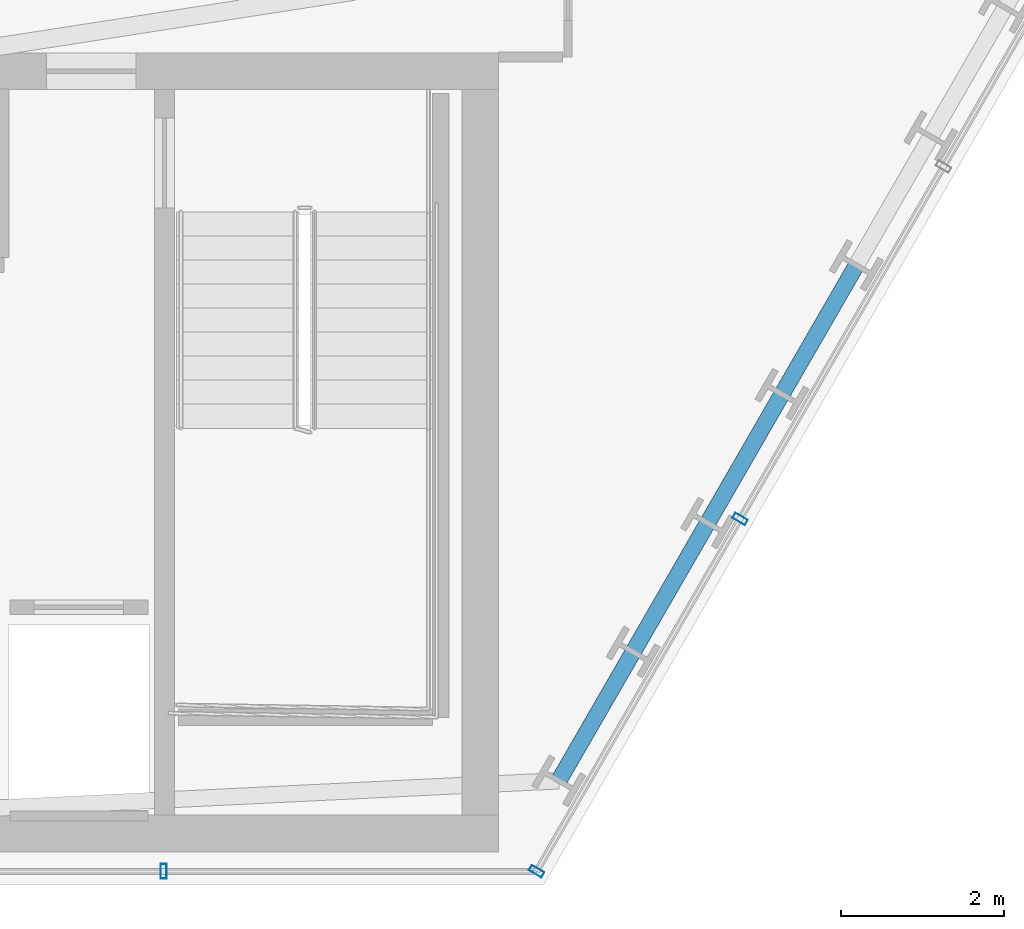
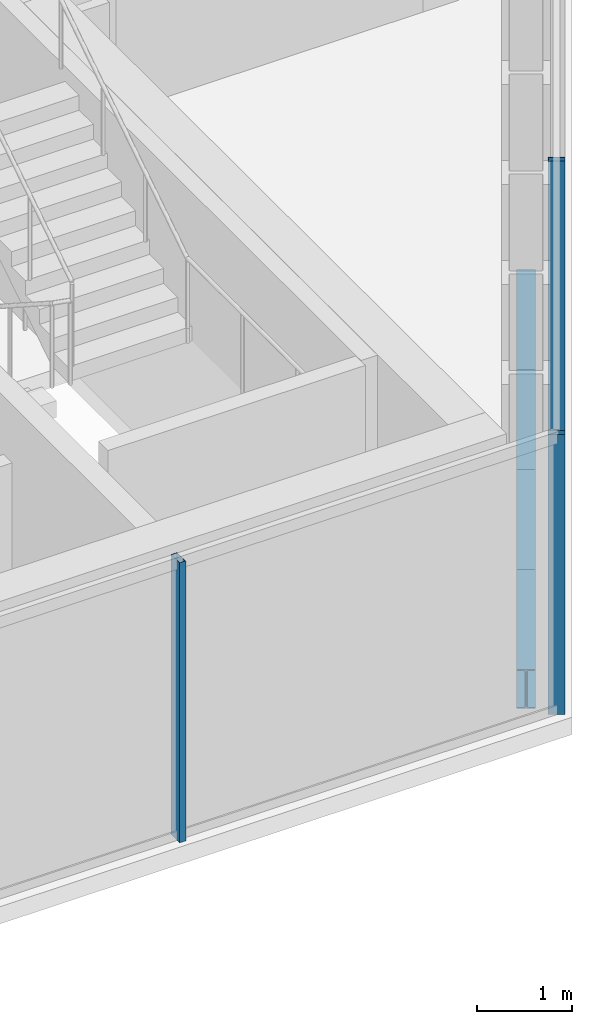
# One storey, part 16 of 32: 4 beams, 3 members, 2 elements without a shape of their own.
"""IFC4 building model written with IfcOpenShell, lengths in metres."""

import ifcopenshell
import ifcopenshell.guid

model = None  # the IFC model being written
_history = None  # IfcOwnerHistory: only IFC2X3 demands one
_inside = {}  # id of a spatial element -> (the spatial element, [elements in it])
_under = {}  # id of a project, library or spatial element -> (it, [spatial elements below it])
_declared = {}  # id of a project -> (the project, [libraries it declares])
_typed = {}  # id of a type object -> (the type object, [elements of that type])
_made_of = {}  # id of a material, layer set ... -> (it, [elements and type objects made of it])


def new_model(schema):
    """Start an empty IFC model of exactly this schema.

    Asked for "IFC4X3", IfcOpenShell would pick the latest addendum, in which some entities
    have other attributes; the version numbers below select the first issue.
    IFC2X3 requires an IfcOwnerHistory on every rooted entity: one is made here for all.
    """
    global model, _history
    if schema == "IFC4X3":
        model = ifcopenshell.file(schema_version=(4, 3, 0, 0))
    else:
        model = ifcopenshell.file(schema=schema)
    _inside.clear()
    _under.clear()
    _declared.clear()
    _typed.clear()
    _made_of.clear()
    _history = None
    if model.schema == "IFC2X3":
        org = make("IfcOrganization", Name="unknown")
        user = make(
            "IfcPersonAndOrganization",
            ThePerson=make("IfcPerson", FamilyName="unknown"),
            TheOrganization=org,
        )
        app = make(
            "IfcApplication",
            ApplicationDeveloper=org,
            Version="unknown",
            ApplicationFullName="unknown",
            ApplicationIdentifier="unknown",
        )
        _history = make(
            "IfcOwnerHistory",
            OwningUser=user,
            OwningApplication=app,
            ChangeAction="ADDED",
            CreationDate=0,
        )
    return model


def make(cls, **values):
    """One entity of the class cls with the attributes given. An attribute that is None is left unset."""
    return model.create_entity(
        cls, **{name: value for name, value in values.items() if value is not None}
    )


def rooted(cls, **values):
    """An entity with a GlobalId (a new one), such as an element, a storey or a relation."""
    return make(cls, GlobalId=ifcopenshell.guid.new(), OwnerHistory=_history, **values)


def si_unit(unit_type, name, prefix=None):
    """IfcSIUnit, for example si_unit("LENGTHUNIT", "METRE", prefix="MILLI")."""
    return make("IfcSIUnit", UnitType=unit_type, Prefix=prefix, Name=name)


def assignment(units):
    """IfcUnitAssignment: the units of a project."""
    return None if units is None else make("IfcUnitAssignment", Units=units)


def point(xyz):
    """IfcCartesianPoint."""
    return None if xyz is None else make("IfcCartesianPoint", Coordinates=xyz)


def direction(xyz):
    """IfcDirection."""
    return None if xyz is None else make("IfcDirection", DirectionRatios=xyz)


def frame(location, z_axis=None, x_axis=None):
    """IfcAxis2Placement3D, a coordinate frame: its origin and axes. An axis left out is left unset."""
    return make(
        "IfcAxis2Placement3D",
        Location=point(location),
        Axis=direction(z_axis),
        RefDirection=direction(x_axis),
    )


def frame_2d(location, x_axis=None):
    """IfcAxis2Placement2D, a coordinate frame in the plane: its origin and x axis."""
    return make(
        "IfcAxis2Placement2D", Location=point(location), RefDirection=direction(x_axis)
    )


def origin():
    """The frame at (0, 0, 0) with its axes left unset."""
    return frame((0.0, 0.0, 0.0))


def origin_2d():
    """The frame at (0, 0) in the plane with its x axis left unset."""
    return frame_2d((0.0, 0.0))


def place(relative_to, where):
    """IfcLocalPlacement: puts the frame where relative to a parent placement (None: the world)."""
    return make(
        "IfcLocalPlacement", PlacementRelTo=relative_to, RelativePlacement=where
    )


def context(
    kind, dimensions, precision=None, world=None, true_north=None, identifier=None
):
    """IfcGeometricRepresentationContext, for example the 3D "Model" context."""
    return make(
        "IfcGeometricRepresentationContext",
        ContextIdentifier=identifier,
        ContextType=kind,
        CoordinateSpaceDimension=dimensions,
        Precision=precision,
        WorldCoordinateSystem=world,
        TrueNorth=true_north,
    )


def subcontext(parent, identifier, kind, view, scale=None):
    """IfcGeometricRepresentationSubContext, for example "Body" below "Model"."""
    return make(
        "IfcGeometricRepresentationSubContext",
        ContextIdentifier=identifier,
        ContextType=kind,
        ParentContext=parent,
        TargetScale=scale,
        TargetView=view,
    )


def project(units=None, contexts=None):
    """IfcProject with its units and contexts."""
    return rooted(
        "IfcProject",
        Name="project",
        RepresentationContexts=contexts,
        UnitsInContext=assignment(units),
    )


def spatial(cls, under=None, at=None, **own):
    """A site, building, storey or space (cls), placed at a placement, below another one or the project."""
    s = rooted(cls, ObjectPlacement=at, **own)
    if under is not None:
        _under.setdefault(under.id(), (under, []))[1].append(s)
    return s


def profile(cls, at=None, kind="AREA", **sizes):
    """A parametric profile (cls). Its sizes go by their IFC names, for example OverallWidth=200.0."""
    return make(cls, ProfileType=kind, Position=at, **sizes)


def hollow_rectangle(**sizes):
    """IfcRectangleHollowProfileDef."""
    return profile("IfcRectangleHollowProfileDef", **sizes)


def i_section(**sizes):
    """IfcIShapeProfileDef."""
    return profile("IfcIShapeProfileDef", **sizes)


def extrude(swept, where, along, depth):
    """IfcExtrudedAreaSolid: the profile swept, set in the frame where, extruded along a direction by depth."""
    return make(
        "IfcExtrudedAreaSolid",
        SweptArea=swept,
        Position=where,
        ExtrudedDirection=direction(along),
        Depth=depth,
    )


def shape(context_of_items, identifier, shape_type, items):
    """IfcShapeRepresentation: the items that make up one representation, for example the "Body"."""
    return make(
        "IfcShapeRepresentation",
        ContextOfItems=context_of_items,
        RepresentationIdentifier=identifier,
        RepresentationType=shape_type,
        Items=items,
    )


def material(Name=None, Category=None):
    """IfcMaterial."""
    return make("IfcMaterial", Name=Name, Category=Category)


def layer(
    of_material, thickness, ventilated=None, Name=None, Category=None, Priority=None
):
    """IfcMaterialLayer: one layer of a wall or slab, of a material (None: an air gap)."""
    return make(
        "IfcMaterialLayer",
        Material=of_material,
        LayerThickness=thickness,
        IsVentilated=ventilated,
        Name=Name,
        Category=Category,
        Priority=Priority,
    )


def layer_set(layers, Name=None):
    """IfcMaterialLayerSet."""
    return make("IfcMaterialLayerSet", MaterialLayers=layers, LayerSetName=Name)


def material_profile(
    of_material, cross_section, Name=None, Category=None, Priority=None
):
    """IfcMaterialProfile: a cross section and its material."""
    return make(
        "IfcMaterialProfile",
        Name=Name,
        Material=of_material,
        Profile=cross_section,
        Priority=Priority,
        Category=Category,
    )


def profile_set(profiles, Name=None, composite=None):
    """IfcMaterialProfileSet."""
    return make(
        "IfcMaterialProfileSet",
        Name=Name,
        MaterialProfiles=profiles,
        CompositeProfile=composite,
    )


def made_of(thing, what):
    """Note that an element or type object is made of a material, layer set ...; save() writes the relation."""
    if what is not None:
        _made_of.setdefault(what.id(), (what, []))[1].append(thing)
    return thing


def type_object(cls, material=None, **own):
    """A type object (cls), such as IfcWallType, which elements share."""
    return made_of(rooted(cls, **own), material)


def element(
    cls,
    number,
    at=None,
    inside=None,
    cuts=None,
    type_object=None,
    material=None,
    context=None,
    identifier="Body",
    shape_type=None,
    held_by="IfcProductDefinitionShape",
    body=None,
    shapes=None,
    **own,
):
    """One element of the class cls, such as IfcWall. Its Tag is "e" and its number.

    at: its placement. inside: the storey or other place that contains it. cuts: it is an
    opening in that element (IfcRelVoidsElement). A single representation is given by context,
    identifier, shape_type and body (its items); several are given by shapes. held_by: the class
    of the entity that holds the representations. save() writes the other relations.
    """
    e = rooted(cls, Tag="e%d" % number, ObjectPlacement=at, **own)
    if body is not None:
        shapes = [shape(context, identifier, shape_type, body)]
    if shapes is not None:
        e.Representation = make(held_by, Representations=shapes)
    if inside is not None:
        _inside.setdefault(inside.id(), (inside, []))[1].append(e)
    if cuts is not None:
        rooted(
            "IfcRelVoidsElement", RelatingBuildingElement=cuts, RelatedOpeningElement=e
        )
    if type_object is not None:
        _typed.setdefault(type_object.id(), (type_object, []))[1].append(e)
    return made_of(e, material)


def aggregate(whole, parts):
    """IfcRelAggregates: a whole, such as a stair, and the parts it consists of."""
    return rooted("IfcRelAggregates", RelatingObject=whole, RelatedObjects=parts)


def save(model, path):
    """Write the relations noted so far, then the file.

    IfcRelAggregates (storeys below a building ...), IfcRelContainedInSpatialStructure (elements
    in a storey), IfcRelDefinesByType, IfcRelAssociatesMaterial and IfcRelDeclares: one each for
    every whole, place, type object, material and project.
    """
    for whole, parts in _under.values():
        aggregate(whole, parts)
    for where, things in _inside.values():
        rooted(
            "IfcRelContainedInSpatialStructure",
            RelatedElements=things,
            RelatingStructure=where,
        )
    for kind, things in _typed.values():
        rooted("IfcRelDefinesByType", RelatedObjects=things, RelatingType=kind)
    for what, things in _made_of.values():
        rooted("IfcRelAssociatesMaterial", RelatedObjects=things, RelatingMaterial=what)
    for by, libraries in _declared.values():
        rooted("IfcRelDeclares", RelatingContext=by, RelatedDefinitions=libraries)
    model.write(path)


model = new_model("IFC4")

# Units and contexts
model_context = context("Model", 3, precision=1e-05, world=origin(), true_north=direction((0.0, 1.0)))
body_context = subcontext(model_context, "Body", "Model", "MODEL_VIEW")
ifc_project = project(units=[si_unit("LENGTHUNIT", "METRE"), si_unit("AREAUNIT", "SQUARE_METRE"), si_unit("VOLUMEUNIT", "CUBIC_METRE"), si_unit("PLANEANGLEUNIT", "RADIAN"), si_unit("MASSUNIT", "GRAM", prefix="KILO")], contexts=[model_context])

# Site, building, storey
site_placement = place(None, origin())
site = spatial("IfcSite", under=ifc_project, at=site_placement, CompositionType="ELEMENT")
building_placement = place(site_placement, origin())
building = spatial("IfcBuilding", under=site, at=building_placement, Name="Ndaravel Arena Tower", CompositionType="ELEMENT")
storey_placement = place(building_placement, frame((0.0, 0.0, 70.199951171875)))
storey = spatial("IfcBuildingStorey", under=building, at=storey_placement, Name="L15", CompositionType="ELEMENT", Elevation=70.199951171875)

# Beams
ifc_material_1 = material(Name="Steel S355", Category="steel")
ifc_material_profile_1 = material_profile(ifc_material_1, i_section(OverallWidth=0.199951171875, OverallDepth=0.5, WebThickness=0.01025390625, FlangeThickness=0.01611328125, FilletRadius=0.02099609375, at=origin_2d()), Name="IPE 500")
ifc_profile_set_1 = profile_set([ifc_material_profile_1], Name="Steel S355")
beam_type = type_object("IfcBeamType", Name="BM-SPAN-IPE500", PredefinedType="SPANDREL", material=ifc_profile_set_1)
for number, where, z_axis, x_axis, name in (
    (1, (58.28662109375, 6.2705078125, -0.469970703125), (0.499965592563, 0.866045268016, 0.0), (-0.866045268016, 0.499965592563, 0.0), "L15 Perimeter Spandrel Beam SP-02"),
    (2, (59.19921875, 7.851318359375, -0.469970703125), (0.499965592563, 0.866045268016, 0.0), (-0.866045268016, 0.499965592563, 0.0), "L15 Perimeter Spandrel Beam SP-03"),
):
    element("IfcBeam", number, at=place(storey_placement, frame(where, z_axis=z_axis, x_axis=x_axis)), inside=storey, type_object=beam_type, Name=name, PredefinedType="SPANDREL", context=body_context, shape_type="SweptSolid", body=[
        extrude(i_section(OverallWidth=0.199951171875, OverallDepth=0.5, WebThickness=0.01025390625, FlangeThickness=0.01611328125, FilletRadius=0.02099609375, at=origin_2d()), origin(), (0.0, 0.0, 1.0), 1.825439453125),
    ])
beam_1_placement = place(storey_placement, frame((60.11181640625, 9.43212890625, -0.469970703125), z_axis=(0.500007989214, 0.866020791161, 0.0), x_axis=(-0.866020791161, 0.500007989214, 0.0)))
element("IfcBeam", 3, at=beam_1_placement, inside=storey, type_object=beam_type, Name="L15 Perimeter Spandrel Beam SP-04", PredefinedType="SPANDREL", context=body_context, shape_type="SweptSolid", body=[
    extrude(i_section(OverallWidth=0.199951171875, OverallDepth=0.5, WebThickness=0.01025390625, FlangeThickness=0.01611328125, FilletRadius=0.02099609375, at=origin_2d()), origin(), (0.0, 0.0, 1.0), 1.82568359375),
])
beam_2_placement = place(storey_placement, frame((61.024658203125, 11.01318359375, -0.469970703125), z_axis=(0.500065901226, 0.86598735235, 0.0), x_axis=(-0.86598735235, 0.500065901226, 0.0)))
element("IfcBeam", 4, at=beam_2_placement, inside=storey, type_object=beam_type, Name="L15 Perimeter Spandrel Beam SP-05", PredefinedType="SPANDREL", context=body_context, shape_type="SweptSolid", body=[
    extrude(i_section(OverallWidth=0.199951171875, OverallDepth=0.5, WebThickness=0.01025390625, FlangeThickness=0.01611328125, FilletRadius=0.02099609375, at=origin_2d()), origin(), (0.0, 0.0, 1.0), 1.825439453125),
])

# Curtain wall, member
ifc_material_2 = material(Name="Aluminium", Category="aluminium")
ifc_layer_1 = layer(ifc_material_2, 0.179931640625)
ifc_layer_set_1 = layer_set([ifc_layer_1], Name="Aluminium")
curtain_wall_type_1 = type_object("IfcCurtainWallType", Name="CW-SYS-03", PredefinedType="NOTDEFINED", material=ifc_layer_set_1)
curtain_wall_1_placement = place(storey_placement, origin())
curtain_wall_1 = element("IfcCurtainWall", 5, at=curtain_wall_1_placement, inside=storey, type_object=curtain_wall_type_1, Name="L15 Faceted Crystal Curtain Wall CW-L15-E01", PredefinedType="NOTDEFINED")
ifc_material_3 = material(Name="Aluminium", Category="aluminium")
ifc_material_profile_2 = material_profile(ifc_material_3, hollow_rectangle(XDim=0.074951171875, YDim=0.179931640625, WallThickness=0.00390625, at=origin_2d()), Name="CW MULLION 75x180x4")
ifc_profile_set_2 = profile_set([ifc_material_profile_2], Name="Aluminium")
member_type = type_object("IfcMemberType", Name="MEM-CW-MUL180", PredefinedType="MULLION", material=ifc_profile_set_2)
member_1_placement = place(storey_placement, frame((53.439208984375, 5.159912109375, 0.0), z_axis=(0.0, 0.0, 1.0), x_axis=(1.0, 0.0, 0.0)))
member_1 = element("IfcMember", 6, at=member_1_placement, type_object=member_type, Name="CW-L15-E01 Mullion 06", PredefinedType="MULLION", context=body_context, shape_type="SweptSolid", body=[
    extrude(hollow_rectangle(XDim=0.074951171875, YDim=0.179931640625, WallThickness=0.00390625, at=origin_2d()), origin(), (0.0, 0.0, 1.0), 3.580078125),
])
aggregate(curtain_wall_1, [member_1])

# Curtain wall, members
ifc_material_4 = material(Name="Aluminium", Category="aluminium")
ifc_layer_2 = layer(ifc_material_4, 0.179931640625)
ifc_layer_set_2 = layer_set([ifc_layer_2], Name="Aluminium")
curtain_wall_type_2 = type_object("IfcCurtainWallType", Name="CW-SYS-01", PredefinedType="NOTDEFINED", material=ifc_layer_set_2)
curtain_wall_2_placement = place(storey_placement, origin())
curtain_wall_2 = element("IfcCurtainWall", 7, at=curtain_wall_2_placement, inside=storey, type_object=curtain_wall_type_2, Name="L15 Faceted Crystal Curtain Wall CW-L15-E02", PredefinedType="NOTDEFINED")
member_2_placement = place(storey_placement, frame((58.014892578125, 5.159912109375, 0.0), z_axis=(0.0, 0.0, 1.0), x_axis=(0.5, 0.866025403784, 0.0)))
member_2 = element("IfcMember", 8, at=member_2_placement, type_object=member_type, Name="CW-L15-E02 Mullion 00", PredefinedType="MULLION", context=body_context, shape_type="SweptSolid", body=[
    extrude(hollow_rectangle(XDim=0.074951171875, YDim=0.179931640625, WallThickness=0.00390625, at=origin_2d()), origin(), (0.0, 0.0, 1.0), 3.580078125),
])
member_3_placement = place(storey_placement, frame((60.51025390625, 9.482421875, 0.0), z_axis=(0.0, 0.0, 1.0), x_axis=(0.5, 0.866025403784, 0.0)))
member_3 = element("IfcMember", 9, at=member_3_placement, type_object=member_type, Name="CW-L15-E02 Mullion 01", PredefinedType="MULLION", context=body_context, shape_type="SweptSolid", body=[
    extrude(hollow_rectangle(XDim=0.074951171875, YDim=0.179931640625, WallThickness=0.00390625, at=origin_2d()), origin(), (0.0, 0.0, 1.0), 3.580078125),
])
aggregate(curtain_wall_2, [member_2, member_3])

save(model, "model.ifc")
